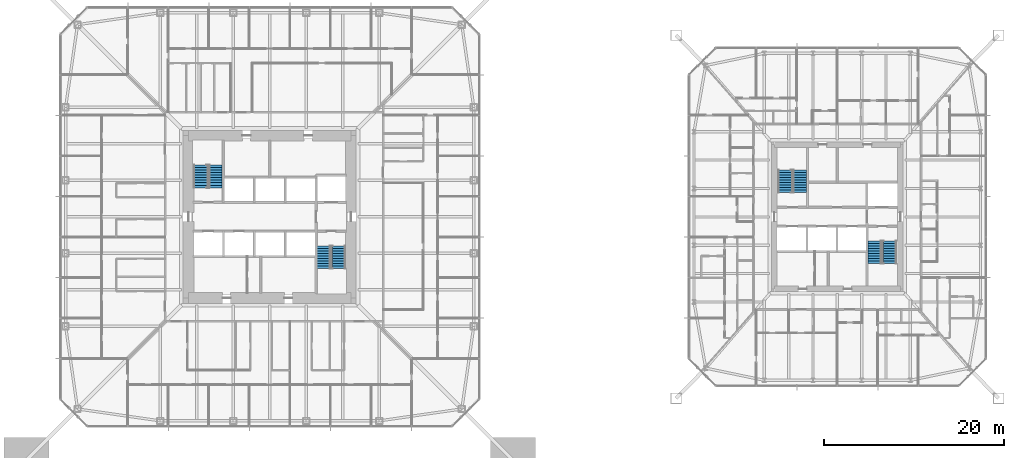
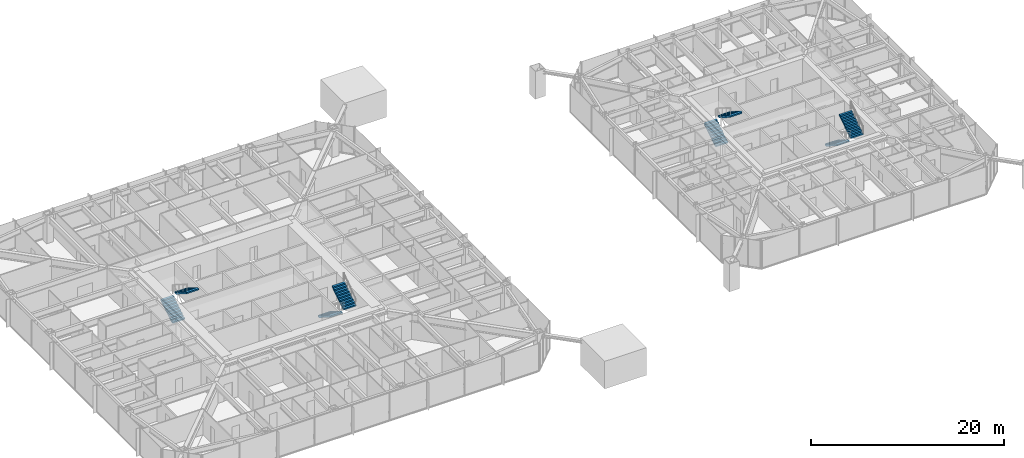
# One storey, part 22 of 26: 8 stair flights, 4 elements without a shape of their own.
"""IFC4 building model written with IfcOpenShell, lengths in metres."""

import ifcopenshell
import ifcopenshell.guid

model = None  # the IFC model being written
_history = None  # IfcOwnerHistory: only IFC2X3 demands one
_inside = {}  # id of a spatial element -> (the spatial element, [elements in it])
_under = {}  # id of a project, library or spatial element -> (it, [spatial elements below it])
_declared = {}  # id of a project -> (the project, [libraries it declares])
_typed = {}  # id of a type object -> (the type object, [elements of that type])
_made_of = {}  # id of a material, layer set ... -> (it, [elements and type objects made of it])


def new_model(schema):
    """Start an empty IFC model of exactly this schema.

    Asked for "IFC4X3", IfcOpenShell would pick the latest addendum, in which some entities
    have other attributes; the version numbers below select the first issue.
    IFC2X3 requires an IfcOwnerHistory on every rooted entity: one is made here for all.
    """
    global model, _history
    if schema == "IFC4X3":
        model = ifcopenshell.file(schema_version=(4, 3, 0, 0))
    else:
        model = ifcopenshell.file(schema=schema)
    _inside.clear()
    _under.clear()
    _declared.clear()
    _typed.clear()
    _made_of.clear()
    _history = None
    if model.schema == "IFC2X3":
        org = make("IfcOrganization", Name="unknown")
        user = make(
            "IfcPersonAndOrganization",
            ThePerson=make("IfcPerson", FamilyName="unknown"),
            TheOrganization=org,
        )
        app = make(
            "IfcApplication",
            ApplicationDeveloper=org,
            Version="unknown",
            ApplicationFullName="unknown",
            ApplicationIdentifier="unknown",
        )
        _history = make(
            "IfcOwnerHistory",
            OwningUser=user,
            OwningApplication=app,
            ChangeAction="ADDED",
            CreationDate=0,
        )
    return model


def make(cls, **values):
    """One entity of the class cls with the attributes given. An attribute that is None is left unset."""
    return model.create_entity(
        cls, **{name: value for name, value in values.items() if value is not None}
    )


def rooted(cls, **values):
    """An entity with a GlobalId (a new one), such as an element, a storey or a relation."""
    return make(cls, GlobalId=ifcopenshell.guid.new(), OwnerHistory=_history, **values)


def si_unit(unit_type, name, prefix=None):
    """IfcSIUnit, for example si_unit("LENGTHUNIT", "METRE", prefix="MILLI")."""
    return make("IfcSIUnit", UnitType=unit_type, Prefix=prefix, Name=name)


def assignment(units):
    """IfcUnitAssignment: the units of a project."""
    return None if units is None else make("IfcUnitAssignment", Units=units)


def point(xyz):
    """IfcCartesianPoint."""
    return None if xyz is None else make("IfcCartesianPoint", Coordinates=xyz)


def direction(xyz):
    """IfcDirection."""
    return None if xyz is None else make("IfcDirection", DirectionRatios=xyz)


def frame(location, z_axis=None, x_axis=None):
    """IfcAxis2Placement3D, a coordinate frame: its origin and axes. An axis left out is left unset."""
    return make(
        "IfcAxis2Placement3D",
        Location=point(location),
        Axis=direction(z_axis),
        RefDirection=direction(x_axis),
    )


def origin():
    """The frame at (0, 0, 0) with its axes left unset."""
    return frame((0.0, 0.0, 0.0))


def place(relative_to, where):
    """IfcLocalPlacement: puts the frame where relative to a parent placement (None: the world)."""
    return make(
        "IfcLocalPlacement", PlacementRelTo=relative_to, RelativePlacement=where
    )


def context(
    kind, dimensions, precision=None, world=None, true_north=None, identifier=None
):
    """IfcGeometricRepresentationContext, for example the 3D "Model" context."""
    return make(
        "IfcGeometricRepresentationContext",
        ContextIdentifier=identifier,
        ContextType=kind,
        CoordinateSpaceDimension=dimensions,
        Precision=precision,
        WorldCoordinateSystem=world,
        TrueNorth=true_north,
    )


def subcontext(parent, identifier, kind, view, scale=None):
    """IfcGeometricRepresentationSubContext, for example "Body" below "Model"."""
    return make(
        "IfcGeometricRepresentationSubContext",
        ContextIdentifier=identifier,
        ContextType=kind,
        ParentContext=parent,
        TargetScale=scale,
        TargetView=view,
    )


def project(units=None, contexts=None):
    """IfcProject with its units and contexts."""
    return rooted(
        "IfcProject",
        Name="project",
        RepresentationContexts=contexts,
        UnitsInContext=assignment(units),
    )


def spatial(cls, under=None, at=None, **own):
    """A site, building, storey or space (cls), placed at a placement, below another one or the project."""
    s = rooted(cls, ObjectPlacement=at, **own)
    if under is not None:
        _under.setdefault(under.id(), (under, []))[1].append(s)
    return s


def polyline(points):
    """IfcPolyline through the points."""
    return make("IfcPolyline", Points=[point(p) for p in points])


def outline(outer, holes=None, kind="AREA"):
    """IfcArbitraryClosedProfileDef: a profile drawn as a closed curve; with holes, ...WithVoids."""
    if holes is None:
        return make("IfcArbitraryClosedProfileDef", ProfileType=kind, OuterCurve=outer)
    return make(
        "IfcArbitraryProfileDefWithVoids",
        ProfileType=kind,
        OuterCurve=outer,
        InnerCurves=holes,
    )


def extrude(swept, where, along, depth):
    """IfcExtrudedAreaSolid: the profile swept, set in the frame where, extruded along a direction by depth."""
    return make(
        "IfcExtrudedAreaSolid",
        SweptArea=swept,
        Position=where,
        ExtrudedDirection=direction(along),
        Depth=depth,
    )


def shape(context_of_items, identifier, shape_type, items):
    """IfcShapeRepresentation: the items that make up one representation, for example the "Body"."""
    return make(
        "IfcShapeRepresentation",
        ContextOfItems=context_of_items,
        RepresentationIdentifier=identifier,
        RepresentationType=shape_type,
        Items=items,
    )


def material(Name=None, Category=None):
    """IfcMaterial."""
    return make("IfcMaterial", Name=Name, Category=Category)


def constituent(of_material, Name=None, Category=None, fraction=None):
    """IfcMaterialConstituent: one of the materials an element consists of."""
    return make(
        "IfcMaterialConstituent",
        Name=Name,
        Material=of_material,
        Fraction=fraction,
        Category=Category,
    )


def constituent_set(constituents=None, Name=None):
    """IfcMaterialConstituentSet."""
    return make(
        "IfcMaterialConstituentSet", Name=Name, MaterialConstituents=constituents
    )


def made_of(thing, what):
    """Note that an element or type object is made of a material, layer set ...; save() writes the relation."""
    if what is not None:
        _made_of.setdefault(what.id(), (what, []))[1].append(thing)
    return thing


def type_object(cls, material=None, **own):
    """A type object (cls), such as IfcWallType, which elements share."""
    return made_of(rooted(cls, **own), material)


def element(
    cls,
    number,
    at=None,
    inside=None,
    cuts=None,
    type_object=None,
    material=None,
    context=None,
    identifier="Body",
    shape_type=None,
    held_by="IfcProductDefinitionShape",
    body=None,
    shapes=None,
    **own,
):
    """One element of the class cls, such as IfcWall. Its Tag is "e" and its number.

    at: its placement. inside: the storey or other place that contains it. cuts: it is an
    opening in that element (IfcRelVoidsElement). A single representation is given by context,
    identifier, shape_type and body (its items); several are given by shapes. held_by: the class
    of the entity that holds the representations. save() writes the other relations.
    """
    e = rooted(cls, Tag="e%d" % number, ObjectPlacement=at, **own)
    if body is not None:
        shapes = [shape(context, identifier, shape_type, body)]
    if shapes is not None:
        e.Representation = make(held_by, Representations=shapes)
    if inside is not None:
        _inside.setdefault(inside.id(), (inside, []))[1].append(e)
    if cuts is not None:
        rooted(
            "IfcRelVoidsElement", RelatingBuildingElement=cuts, RelatedOpeningElement=e
        )
    if type_object is not None:
        _typed.setdefault(type_object.id(), (type_object, []))[1].append(e)
    return made_of(e, material)


def aggregate(whole, parts):
    """IfcRelAggregates: a whole, such as a stair, and the parts it consists of."""
    return rooted("IfcRelAggregates", RelatingObject=whole, RelatedObjects=parts)


def save(model, path):
    """Write the relations noted so far, then the file.

    IfcRelAggregates (storeys below a building ...), IfcRelContainedInSpatialStructure (elements
    in a storey), IfcRelDefinesByType, IfcRelAssociatesMaterial and IfcRelDeclares: one each for
    every whole, place, type object, material and project.
    """
    for whole, parts in _under.values():
        aggregate(whole, parts)
    for where, things in _inside.values():
        rooted(
            "IfcRelContainedInSpatialStructure",
            RelatedElements=things,
            RelatingStructure=where,
        )
    for kind, things in _typed.values():
        rooted("IfcRelDefinesByType", RelatedObjects=things, RelatingType=kind)
    for what, things in _made_of.values():
        rooted("IfcRelAssociatesMaterial", RelatedObjects=things, RelatingMaterial=what)
    for by, libraries in _declared.values():
        rooted("IfcRelDeclares", RelatingContext=by, RelatedDefinitions=libraries)
    model.write(path)


model = new_model("IFC4")

# Units and contexts
model_context = context("Model", 3, precision=1e-05, world=origin(), true_north=direction((0.0, 1.0)))
body_context = subcontext(model_context, "Body", "Model", "MODEL_VIEW")
ifc_project = project(units=[si_unit("LENGTHUNIT", "METRE"), si_unit("AREAUNIT", "SQUARE_METRE"), si_unit("VOLUMEUNIT", "CUBIC_METRE"), si_unit("PLANEANGLEUNIT", "RADIAN"), si_unit("MASSUNIT", "GRAM", prefix="KILO")], contexts=[model_context])

# Site, building, storey
site_placement = place(None, origin())
site = spatial("IfcSite", under=ifc_project, at=site_placement, CompositionType="ELEMENT")
building_placement = place(site_placement, origin())
building = spatial("IfcBuilding", under=site, at=building_placement, Name="Iwan Alto Co-Living Towers", CompositionType="ELEMENT")
storey_placement = place(building_placement, frame((0.0, 0.0, 67.5)))
storey = spatial("IfcBuildingStorey", under=building, at=storey_placement, Name="L18", CompositionType="ELEMENT", Elevation=67.5)

# Stair, stair flights
ifc_material_1 = material(Name="Steel ASTM A36", Category="steel")
ifc_constituent_1 = constituent(ifc_material_1, Name="Stringers", Category="LoadBearing")
ifc_material_2 = material(Name="Concrete f'c 30 MPa", Category="concrete")
ifc_constituent_2 = constituent(ifc_material_2, Name="Tread fill", Category="Finish")
ifc_constituent_set_1 = constituent_set(constituents=[ifc_constituent_1, ifc_constituent_2], Name="STAIR 3500 TWO-FLIGHT T1 CORE")
stair_type_1 = type_object("IfcStairType", Name="STAIR 3500 TWO-FLIGHT T1 CORE", PredefinedType="HALF_TURN_STAIR", material=ifc_constituent_set_1)
stair_1_placement = place(storey_placement, origin())
stair_1 = element("IfcStair", 1, at=stair_1_placement, inside=storey, type_object=stair_type_1, Name="Stair T1-S1 L18 to L19", PredefinedType="HALF_TURN_STAIR")
ifc_constituent_3 = constituent(ifc_material_1, Name="Stringers", Category="LoadBearing")
ifc_constituent_4 = constituent(ifc_material_2, Name="Tread fill", Category="Finish")
ifc_constituent_set_2 = constituent_set(constituents=[ifc_constituent_3, ifc_constituent_4], Name="STAIR FLIGHT 10 RISERS 280 GOING")
stair_flight_type = type_object("IfcStairFlightType", Name="STAIR FLIGHT 10 RISERS 280 GOING", PredefinedType="STRAIGHT", material=ifc_constituent_set_2)
stair_flight_1_placement = place(storey_placement, frame((-7.68994140625, 3.219970703125, 0.0), z_axis=(0.0, 0.0, 1.0), x_axis=(0.0, 1.0, 0.0)))
stair_flight_1 = element("IfcStairFlight", 2, at=stair_flight_1_placement, type_object=stair_flight_type, Name="T1-S1 flight 1", NumberOfRisers=10, NumberOfTreads=9, PredefinedType="STRAIGHT", RiserHeight=0.175, TreadLength=0.28, context=body_context, shape_type="SweptSolid", body=[
    extrude(outline(polyline([(0.0, 0.0), (0.0, 0.175048828125), (0.280029296875, 0.175048828125), (0.280029296875, 0.35009765625), (0.56005859375, 0.35009765625), (0.56005859375, 0.52490234375), (0.840087890625, 0.52490234375), (0.840087890625, 0.699951171875), (1.1201171875, 0.699951171875), (1.1201171875, 0.875), (1.39990234375, 0.875), (1.39990234375, 1.050048828125), (1.679931640625, 1.050048828125), (1.679931640625, 1.22509765625), (1.9599609375, 1.22509765625), (1.9599609375, 1.39990234375), (2.239990234375, 1.39990234375), (2.239990234375, 1.574951171875), (2.52001953125, 1.574951171875), (2.52001953125, 1.75), (2.52001953125, 1.398193359375), (0.28271484375, 0.0), (0.0, 0.0)])), frame((0.0, 0.739990234375, 0.0), z_axis=(0.0, -1.0, 0.0), x_axis=(1.0, 0.0, 0.0)), (0.0, 0.0, 1.0), 1.47998046875),
])
stair_flight_2_placement = place(storey_placement, frame((-6.010009765625, 5.739990234375, 1.75), z_axis=(0.0, 0.0, 1.0), x_axis=(0.0, -1.0, 0.0)))
stair_flight_2 = element("IfcStairFlight", 3, at=stair_flight_2_placement, type_object=stair_flight_type, Name="T1-S1 flight 2", NumberOfRisers=10, NumberOfTreads=9, PredefinedType="STRAIGHT", RiserHeight=0.175, TreadLength=0.28, context=body_context, shape_type="SweptSolid", body=[
    extrude(outline(polyline([(0.0, 0.0), (0.0, 0.175048828125), (0.280029296875, 0.175048828125), (0.280029296875, 0.35009765625), (0.56005859375, 0.35009765625), (0.56005859375, 0.52490234375), (0.840087890625, 0.52490234375), (0.840087890625, 0.699951171875), (1.1201171875, 0.699951171875), (1.1201171875, 0.875), (1.39990234375, 0.875), (1.39990234375, 1.050048828125), (1.679931640625, 1.050048828125), (1.679931640625, 1.22509765625), (1.9599609375, 1.22509765625), (1.9599609375, 1.39990234375), (2.239990234375, 1.39990234375), (2.239990234375, 1.574951171875), (2.52001953125, 1.574951171875), (2.52001953125, 1.75), (2.52001953125, 1.398193359375), (0.28271484375, 0.0), (0.0, 0.0)])), frame((0.0, 0.739990234375, 0.0), z_axis=(0.0, -1.0, 0.0), x_axis=(1.0, 0.0, 0.0)), (0.0, 0.0, 1.0), 1.47998046875),
])
aggregate(stair_1, [stair_flight_1, stair_flight_2])

stair_2_placement = place(storey_placement, origin())
stair_2 = element("IfcStair", 4, at=stair_2_placement, inside=storey, type_object=stair_type_1, Name="Stair T1-S2 L18 to L19", PredefinedType="HALF_TURN_STAIR")
stair_flight_3_placement = place(storey_placement, frame((6.010009765625, -3.219970703125, 0.0), z_axis=(0.0, 0.0, 1.0), x_axis=(0.0, -1.0, 0.0)))
stair_flight_3 = element("IfcStairFlight", 5, at=stair_flight_3_placement, type_object=stair_flight_type, Name="T1-S2 flight 1", NumberOfRisers=10, NumberOfTreads=9, PredefinedType="STRAIGHT", RiserHeight=0.175, TreadLength=0.28, context=body_context, shape_type="SweptSolid", body=[
    extrude(outline(polyline([(0.0, 0.0), (0.0, 0.175048828125), (0.280029296875, 0.175048828125), (0.280029296875, 0.35009765625), (0.56005859375, 0.35009765625), (0.56005859375, 0.52490234375), (0.840087890625, 0.52490234375), (0.840087890625, 0.699951171875), (1.1201171875, 0.699951171875), (1.1201171875, 0.875), (1.39990234375, 0.875), (1.39990234375, 1.050048828125), (1.679931640625, 1.050048828125), (1.679931640625, 1.22509765625), (1.9599609375, 1.22509765625), (1.9599609375, 1.39990234375), (2.239990234375, 1.39990234375), (2.239990234375, 1.574951171875), (2.52001953125, 1.574951171875), (2.52001953125, 1.75), (2.52001953125, 1.398193359375), (0.28271484375, 0.0), (0.0, 0.0)])), frame((0.0, 0.739990234375, 0.0), z_axis=(0.0, -1.0, 0.0), x_axis=(1.0, 0.0, 0.0)), (0.0, 0.0, 1.0), 1.47998046875),
])
stair_flight_4_placement = place(storey_placement, frame((7.68994140625, -5.739990234375, 1.75), z_axis=(0.0, 0.0, 1.0), x_axis=(0.0, 1.0, 0.0)))
stair_flight_4 = element("IfcStairFlight", 6, at=stair_flight_4_placement, type_object=stair_flight_type, Name="T1-S2 flight 2", NumberOfRisers=10, NumberOfTreads=9, PredefinedType="STRAIGHT", RiserHeight=0.175, TreadLength=0.28, context=body_context, shape_type="SweptSolid", body=[
    extrude(outline(polyline([(0.0, 0.0), (0.0, 0.175048828125), (0.280029296875, 0.175048828125), (0.280029296875, 0.35009765625), (0.56005859375, 0.35009765625), (0.56005859375, 0.52490234375), (0.840087890625, 0.52490234375), (0.840087890625, 0.699951171875), (1.1201171875, 0.699951171875), (1.1201171875, 0.875), (1.39990234375, 0.875), (1.39990234375, 1.050048828125), (1.679931640625, 1.050048828125), (1.679931640625, 1.22509765625), (1.9599609375, 1.22509765625), (1.9599609375, 1.39990234375), (2.239990234375, 1.39990234375), (2.239990234375, 1.574951171875), (2.52001953125, 1.574951171875), (2.52001953125, 1.75), (2.52001953125, 1.398193359375), (0.28271484375, 0.0), (0.0, 0.0)])), frame((0.0, 0.739990234375, 0.0), z_axis=(0.0, -1.0, 0.0), x_axis=(1.0, 0.0, 0.0)), (0.0, 0.0, 1.0), 1.47998046875),
])
aggregate(stair_2, [stair_flight_3, stair_flight_4])

ifc_constituent_5 = constituent(ifc_material_1, Name="Stringers", Category="LoadBearing")
ifc_constituent_6 = constituent(ifc_material_2, Name="Tread fill", Category="Finish")
ifc_constituent_set_3 = constituent_set(constituents=[ifc_constituent_5, ifc_constituent_6], Name="STAIR 3500 TWO-FLIGHT T2 CORE")
stair_type_2 = type_object("IfcStairType", Name="STAIR 3500 TWO-FLIGHT T2 CORE", PredefinedType="HALF_TURN_STAIR", material=ifc_constituent_set_3)
stair_3_placement = place(storey_placement, origin())
stair_3 = element("IfcStair", 7, at=stair_3_placement, inside=storey, type_object=stair_type_2, Name="Stair T2-S1 L18 to L19", PredefinedType="HALF_TURN_STAIR")
stair_flight_5_placement = place(storey_placement, frame((57.159912109375, 2.669921875, 0.0), z_axis=(0.0, 0.0, 1.0), x_axis=(0.0, 1.0, 0.0)))
stair_flight_5 = element("IfcStairFlight", 8, at=stair_flight_5_placement, type_object=stair_flight_type, Name="T2-S1 flight 1", NumberOfRisers=10, NumberOfTreads=9, PredefinedType="STRAIGHT", RiserHeight=0.175, TreadLength=0.28, context=body_context, shape_type="SweptSolid", body=[
    extrude(outline(polyline([(0.0, 0.0), (0.0, 0.175048828125), (0.280029296875, 0.175048828125), (0.280029296875, 0.35009765625), (0.56005859375, 0.35009765625), (0.56005859375, 0.52490234375), (0.840087890625, 0.52490234375), (0.840087890625, 0.699951171875), (1.1201171875, 0.699951171875), (1.1201171875, 0.875), (1.39990234375, 0.875), (1.39990234375, 1.050048828125), (1.679931640625, 1.050048828125), (1.679931640625, 1.22509765625), (1.9599609375, 1.22509765625), (1.9599609375, 1.39990234375), (2.239990234375, 1.39990234375), (2.239990234375, 1.574951171875), (2.52001953125, 1.574951171875), (2.52001953125, 1.75), (2.52001953125, 1.398193359375), (0.28271484375, 0.0), (0.0, 0.0)])), frame((0.0, 0.739990234375, 0.0), z_axis=(0.0, -1.0, 0.0), x_axis=(1.0, 0.0, 0.0)), (0.0, 0.0, 1.0), 1.47998046875),
])
stair_flight_6_placement = place(storey_placement, frame((58.840087890625, 5.18994140625, 1.75), z_axis=(0.0, 0.0, 1.0), x_axis=(0.0, -1.0, 0.0)))
stair_flight_6 = element("IfcStairFlight", 9, at=stair_flight_6_placement, type_object=stair_flight_type, Name="T2-S1 flight 2", NumberOfRisers=10, NumberOfTreads=9, PredefinedType="STRAIGHT", RiserHeight=0.175, TreadLength=0.28, context=body_context, shape_type="SweptSolid", body=[
    extrude(outline(polyline([(0.0, 0.0), (0.0, 0.175048828125), (0.280029296875, 0.175048828125), (0.280029296875, 0.35009765625), (0.56005859375, 0.35009765625), (0.56005859375, 0.52490234375), (0.840087890625, 0.52490234375), (0.840087890625, 0.699951171875), (1.1201171875, 0.699951171875), (1.1201171875, 0.875), (1.39990234375, 0.875), (1.39990234375, 1.050048828125), (1.679931640625, 1.050048828125), (1.679931640625, 1.22509765625), (1.9599609375, 1.22509765625), (1.9599609375, 1.39990234375), (2.239990234375, 1.39990234375), (2.239990234375, 1.574951171875), (2.52001953125, 1.574951171875), (2.52001953125, 1.75), (2.52001953125, 1.398193359375), (0.28271484375, 0.0), (0.0, 0.0)])), frame((0.0, 0.739990234375, 0.0), z_axis=(0.0, -1.0, 0.0), x_axis=(1.0, 0.0, 0.0)), (0.0, 0.0, 1.0), 1.47998046875),
])
aggregate(stair_3, [stair_flight_5, stair_flight_6])

stair_4_placement = place(storey_placement, origin())
stair_4 = element("IfcStair", 10, at=stair_4_placement, inside=storey, type_object=stair_type_2, Name="Stair T2-S2 L18 to L19", PredefinedType="HALF_TURN_STAIR")
stair_flight_7_placement = place(storey_placement, frame((67.159912109375, -2.669921875, 0.0), z_axis=(0.0, 0.0, 1.0), x_axis=(0.0, -1.0, 0.0)))
stair_flight_7 = element("IfcStairFlight", 11, at=stair_flight_7_placement, type_object=stair_flight_type, Name="T2-S2 flight 1", NumberOfRisers=10, NumberOfTreads=9, PredefinedType="STRAIGHT", RiserHeight=0.175, TreadLength=0.28, context=body_context, shape_type="SweptSolid", body=[
    extrude(outline(polyline([(0.0, 0.0), (0.0, 0.175048828125), (0.280029296875, 0.175048828125), (0.280029296875, 0.35009765625), (0.56005859375, 0.35009765625), (0.56005859375, 0.52490234375), (0.840087890625, 0.52490234375), (0.840087890625, 0.699951171875), (1.1201171875, 0.699951171875), (1.1201171875, 0.875), (1.39990234375, 0.875), (1.39990234375, 1.050048828125), (1.679931640625, 1.050048828125), (1.679931640625, 1.22509765625), (1.9599609375, 1.22509765625), (1.9599609375, 1.39990234375), (2.239990234375, 1.39990234375), (2.239990234375, 1.574951171875), (2.52001953125, 1.574951171875), (2.52001953125, 1.75), (2.52001953125, 1.398193359375), (0.28271484375, 0.0), (0.0, 0.0)])), frame((0.0, 0.739990234375, 0.0), z_axis=(0.0, -1.0, 0.0), x_axis=(1.0, 0.0, 0.0)), (0.0, 0.0, 1.0), 1.47998046875),
])
stair_flight_8_placement = place(storey_placement, frame((68.840087890625, -5.18994140625, 1.75), z_axis=(0.0, 0.0, 1.0), x_axis=(0.0, 1.0, 0.0)))
stair_flight_8 = element("IfcStairFlight", 12, at=stair_flight_8_placement, type_object=stair_flight_type, Name="T2-S2 flight 2", NumberOfRisers=10, NumberOfTreads=9, PredefinedType="STRAIGHT", RiserHeight=0.175, TreadLength=0.28, context=body_context, shape_type="SweptSolid", body=[
    extrude(outline(polyline([(0.0, 0.0), (0.0, 0.175048828125), (0.280029296875, 0.175048828125), (0.280029296875, 0.35009765625), (0.56005859375, 0.35009765625), (0.56005859375, 0.52490234375), (0.840087890625, 0.52490234375), (0.840087890625, 0.699951171875), (1.1201171875, 0.699951171875), (1.1201171875, 0.875), (1.39990234375, 0.875), (1.39990234375, 1.050048828125), (1.679931640625, 1.050048828125), (1.679931640625, 1.22509765625), (1.9599609375, 1.22509765625), (1.9599609375, 1.39990234375), (2.239990234375, 1.39990234375), (2.239990234375, 1.574951171875), (2.52001953125, 1.574951171875), (2.52001953125, 1.75), (2.52001953125, 1.398193359375), (0.28271484375, 0.0), (0.0, 0.0)])), frame((0.0, 0.739990234375, 0.0), z_axis=(0.0, -1.0, 0.0), x_axis=(1.0, 0.0, 0.0)), (0.0, 0.0, 1.0), 1.47998046875),
])
aggregate(stair_4, [stair_flight_7, stair_flight_8])

save(model, "model.ifc")
